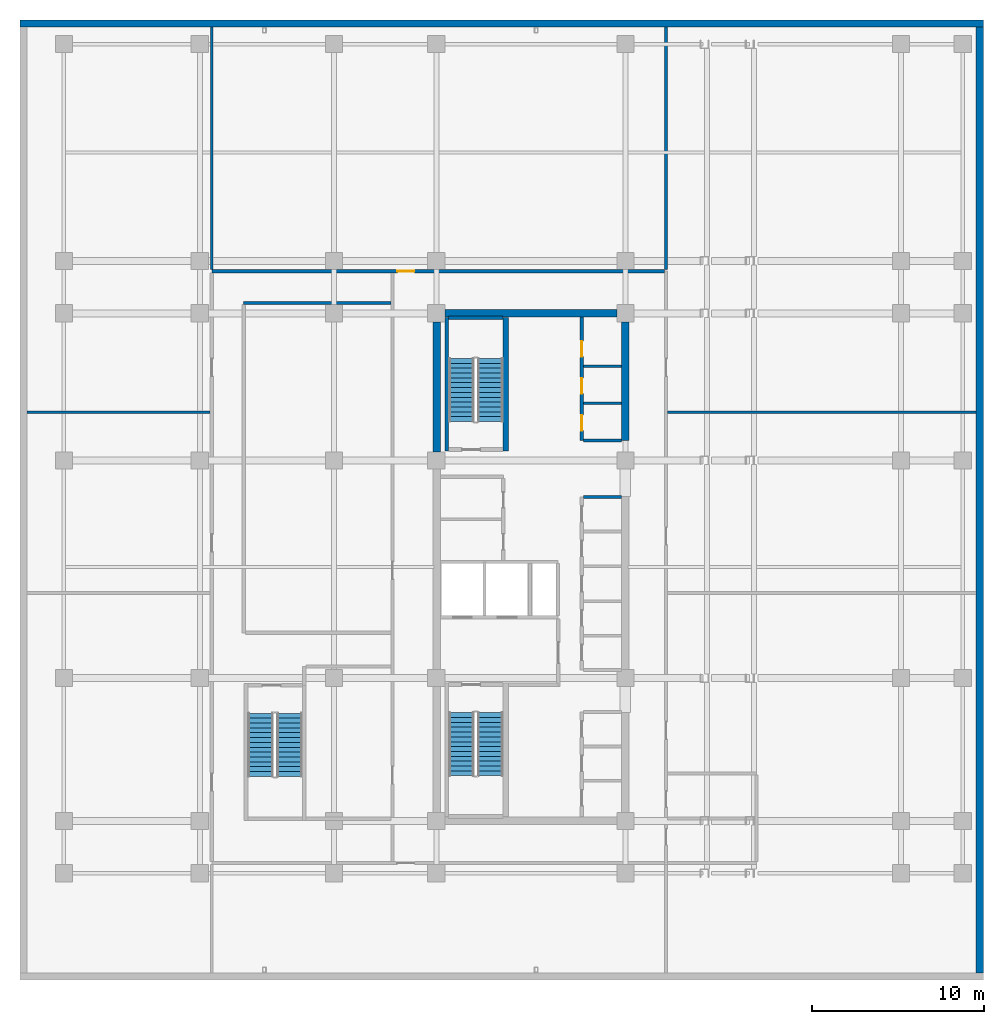
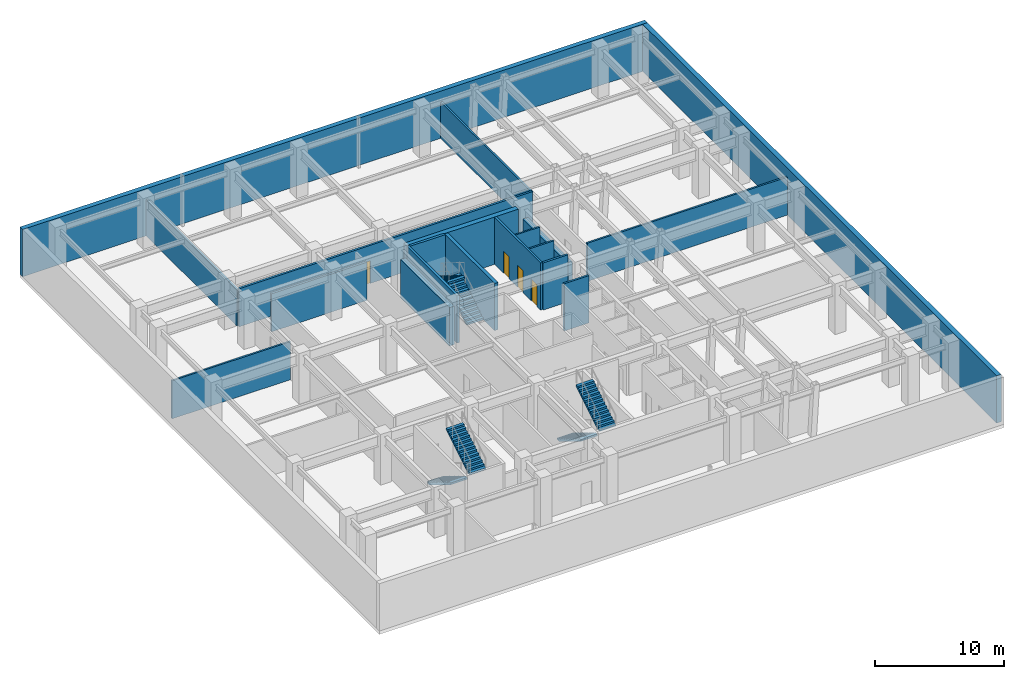
# One storey, part 8 of 9: 19 walls, 6 stair flights, 4 doors, 4 openings, 3 elements without a shape of their own.
"""IFC4 building model written with IfcOpenShell, lengths in metres."""

from ifc_helpers import new_model, si_unit, direction, frame, frame_2d, origin, place, context, subcontext, project, spatial, polyline, rectangle, outline, extrude, material, layer, layer_set, type_object, element, fill, aggregate, save


model = new_model("IFC4")

# Units and contexts
model_context = context("Model", 3, precision=1e-05, world=origin(), true_north=direction((0.0, 1.0)))
body_context = subcontext(model_context, "Body", "Model", "MODEL_VIEW")
ifc_project = project(units=[si_unit("LENGTHUNIT", "METRE"), si_unit("AREAUNIT", "SQUARE_METRE"), si_unit("VOLUMEUNIT", "CUBIC_METRE"), si_unit("PLANEANGLEUNIT", "RADIAN"), si_unit("MASSUNIT", "GRAM", prefix="KILO")], contexts=[model_context])

# Site, building, storey
site_placement = place(None, origin())
site = spatial("IfcSite", under=ifc_project, at=site_placement, CompositionType="ELEMENT")
building_placement = place(site_placement, origin())
building = spatial("IfcBuilding", under=site, at=building_placement, Name="Ochreholt Gables", CompositionType="ELEMENT")
storey_placement = place(building_placement, frame((0.0, 0.0, -4.800048828125)))
storey = spatial("IfcBuildingStorey", under=building, at=storey_placement, Name="B1", CompositionType="ELEMENT", Elevation=-4.800048828125)

# Walls
ifc_material_1 = material(Name="Concrete 50 MPa", Category="concrete")
ifc_layer_1 = layer(ifc_material_1, 0.419921875, Name="Concrete 50 MPa")
ifc_layer_set_1 = layer_set([ifc_layer_1], Name="Concrete 50 MPa")
wall_type_1 = type_object("IfcWallType", Name="WALL-BSM-420", PredefinedType="SHEAR", material=ifc_layer_set_1)
wall_1_placement = place(storey_placement, frame((0.0, 55.590087890625, 0.0), z_axis=(0.0, 0.0, 1.0), x_axis=(1.0, 0.0, 0.0)))
element("IfcWall", 1, at=wall_1_placement, inside=storey, type_object=wall_type_1, Name="B1 North Retaining Shear Wall", PredefinedType="SHEAR", context=body_context, shape_type="SweptSolid", body=[
    extrude(rectangle(XDim=56.0, YDim=0.419921875, at=frame_2d((28.0, 0.0))), origin(), (0.0, 0.0, 1.0), 4.47998046875),
])
wall_2_placement = place(storey_placement, frame((55.7900390625, 0.419921875, 0.0), z_axis=(0.0, 0.0, 1.0), x_axis=(0.0, 1.0, 0.0)))
element("IfcWall", 2, at=wall_2_placement, inside=storey, type_object=wall_type_1, Name="B1 East Retaining Shear Wall", PredefinedType="SHEAR", context=body_context, shape_type="SweptSolid", body=[
    extrude(rectangle(XDim=54.9599609375, YDim=0.419921875, at=frame_2d((27.47998046875, 0.0))), origin(), (0.0, 0.0, 1.0), 4.47998046875),
])
ifc_material_2 = material(Name="Concrete 60 MPa", Category="concrete")
ifc_layer_2 = layer(ifc_material_2, 0.449951171875, Name="Concrete 60 MPa")
ifc_layer_set_2 = layer_set([ifc_layer_2], Name="Concrete 60 MPa")
wall_type_2 = type_object("IfcWallType", Name="WALL-CSW-450", PredefinedType="SHEAR", material=ifc_layer_set_2)
wall_3_placement = place(storey_placement, frame((24.22509765625, 30.699951171875, 0.0), z_axis=(0.0, 0.0, 1.0), x_axis=(0.0, 1.0, 0.0)))
element("IfcWall", 3, at=wall_3_placement, inside=storey, type_object=wall_type_2, Name="B1 Core West Shear Wall WN", PredefinedType="SHEAR", context=body_context, shape_type="SweptSolid", body=[
    extrude(rectangle(XDim=7.550048828125, YDim=0.449951171875, at=frame_2d((3.77490234375, 0.0))), origin(), (0.0, 0.0, 1.0), 3.629150390625),
])
wall_4_placement = place(storey_placement, frame((35.175048828125, 31.35009765625, 0.0), z_axis=(0.0, 0.0, 1.0), x_axis=(0.0, 1.0, 0.0)))
element("IfcWall", 4, at=wall_4_placement, inside=storey, type_object=wall_type_2, Name="B1 Core North-East Shear Wall", PredefinedType="SHEAR", context=body_context, shape_type="SweptSolid", body=[
    extrude(rectangle(XDim=6.89990234375, YDim=0.449951171875, at=frame_2d((3.449951171875, 0.0))), origin(), (0.0, 0.0, 1.0), 3.629150390625),
])
wall_5_placement = place(storey_placement, frame((24.699951171875, 38.75, 0.0), z_axis=(0.0, 0.0, 1.0), x_axis=(1.0, 0.0, 0.0)))
element("IfcWall", 5, at=wall_5_placement, inside=storey, type_object=wall_type_2, Name="B1 Core North Shear Wall", PredefinedType="SHEAR", context=body_context, shape_type="SweptSolid", body=[
    extrude(rectangle(XDim=10.0, YDim=0.449951171875, at=frame_2d((5.0, 0.0))), origin(), (0.0, 0.0, 1.0), 4.47998046875),
])

# Wall, opening, door
ifc_material_3 = material(Name="Fire-Rated Gypsum Acoustic Partition", Category="gypsum")
ifc_layer_3 = layer(ifc_material_3, 0.18994140625, Name="Fire-Rated Gypsum Acoustic Partition")
ifc_layer_set_3 = layer_set([ifc_layer_3], Name="Fire-Rated Gypsum Acoustic Partition")
wall_type_3 = type_object("IfcWallType", Name="WALL-INT-CR190", PredefinedType="STANDARD", material=ifc_layer_set_3)
wall_6_placement = place(storey_placement, frame((11.14990234375, 41.199951171875, 0.0), z_axis=(0.0, 0.0, 1.0), x_axis=(1.0, 0.0, 0.0)))
wall_6 = element("IfcWall", 6, at=wall_6_placement, inside=storey, type_object=wall_type_3, Name="B1 Interior Wall WI-BCN-B1", PredefinedType="STANDARD", context=body_context, shape_type="SweptSolid", body=[
    extrude(rectangle(XDim=26.30517578125, YDim=0.18994140625, at=frame_2d((13.152587890625, 0.0))), origin(), (0.0, 0.0, 1.0), 3.611083984375),
])
opening_1_placement = place(wall_6_placement, frame((10.780029296875, 0.0, 0.0)))
opening_1 = element("IfcOpeningElement", 7, at=opening_1_placement, cuts=wall_6, Name="Opening D-SV3", PredefinedType="OPENING", context=body_context, shape_type="SweptSolid", body=[
    extrude(rectangle(XDim=1.0, YDim=2.14990234375, at=frame_2d((0.5, 1.074951171875))), frame((0.0, 0.10498046875, 0.0), z_axis=(0.0, -1.0, 0.0), x_axis=(1.0, 0.0, 0.0)), (0.0, 0.0, 1.0), 0.2099609375),
])
ifc_material_4 = material(Name="Hollow Metal Steel", Category="steel")
door_type_1 = type_object("IfcDoorType", Name="DR-INT-SRV1000", OperationType="NOTDEFINED", PredefinedType="DOOR", material=ifc_material_4)
door_1_placement = place(opening_1_placement, origin())
door_1 = element("IfcDoor", 8, at=door_1_placement, inside=storey, type_object=door_type_1, Name="B1 Door D-BM10-B1", OperationType="SINGLE_SWING_LEFT", OverallHeight=2.14990234375, OverallWidth=1.0, PredefinedType="DOOR", context=body_context, shape_type="SweptSolid", body=[
    extrude(rectangle(XDim=1.0, YDim=2.14990234375, at=frame_2d((0.5, 1.074951171875))), frame((0.0, 0.02490234375, 0.0), z_axis=(0.0, -1.0, 0.0), x_axis=(1.0, 0.0, 0.0)), (0.0, 0.0, 1.0), 0.050048828125),
])
fill(opening_1, door_1)

# Walls
wall_7_placement = place(storey_placement, frame((13.0, 39.35009765625, 0.0), z_axis=(0.0, 0.0, 1.0), x_axis=(1.0, 0.0, 0.0)))
element("IfcWall", 9, at=wall_7_placement, inside=storey, type_object=wall_type_3, Name="B1 Interior Wall WI-BCN2-B1", PredefinedType="STANDARD", context=body_context, shape_type="SweptSolid", body=[
    extrude(rectangle(XDim=8.554931640625, YDim=0.18994140625, at=frame_2d((4.27734375, 0.0))), origin(), (0.0, 0.0, 1.0), 3.611083984375),
])
ifc_material_5 = material(Name="Gypsum Acoustic Stud Partition", Category="gypsum")
ifc_layer_4 = layer(ifc_material_5, 0.159912109375, Name="Gypsum Acoustic Stud Partition")
ifc_layer_set_4 = layer_set([ifc_layer_4], Name="Gypsum Acoustic Stud Partition")
wall_type_4 = type_object("IfcWallType", Name="WALL-INT-PT160", PredefinedType="PARTITIONING", material=ifc_layer_set_4)
for number, where, z_axis, x_axis, name in (
    (10, (11.14990234375, 41.294921875, 0.0), (0.0, 0.0, 1.0), (0.0, 1.0, 0.0), "B1 Interior Wall WI-BCWWN-B1"),
    (11, (37.550048828125, 41.294921875, 0.0), (0.0, 0.0, 1.0), (0.0, 1.0, 0.0), "B1 Interior Wall WI-BCEN-B1"),
):
    element("IfcWall", number, at=place(storey_placement, frame(where, z_axis=z_axis, x_axis=x_axis)), inside=storey, type_object=wall_type_4, Name=name, PredefinedType="PARTITIONING", context=body_context, shape_type="SweptSolid", body=[
        extrude(rectangle(XDim=14.0849609375, YDim=0.159912109375, at=frame_2d((7.04248046875, 0.0))), origin(), (0.0, 0.0, 1.0), 3.462158203125),
    ])
wall_8_placement = place(storey_placement, frame((0.419921875, 33.0, 0.0), z_axis=(0.0, 0.0, 1.0), x_axis=(1.0, 0.0, 0.0)))
element("IfcWall", 12, at=wall_8_placement, inside=storey, type_object=wall_type_4, Name="B1 Interior Wall WI-BW2-B1", PredefinedType="PARTITIONING", context=body_context, shape_type="SweptSolid", body=[
    extrude(rectangle(XDim=10.635009765625, YDim=0.159912109375, at=frame_2d((5.3173828125, 0.0))), origin(), (0.0, 0.0, 1.0), 3.611083984375),
])
wall_9_placement = place(storey_placement, frame((37.64501953125, 33.0, 0.0), z_axis=(0.0, 0.0, 1.0), x_axis=(1.0, 0.0, 0.0)))
element("IfcWall", 13, at=wall_9_placement, inside=storey, type_object=wall_type_4, Name="B1 Interior Wall WI-BE2-B1", PredefinedType="PARTITIONING", context=body_context, shape_type="SweptSolid", body=[
    extrude(rectangle(XDim=17.93505859375, YDim=0.159912109375, at=frame_2d((8.967529296875, 0.0))), origin(), (0.0, 0.0, 1.0), 3.611083984375),
])
ifc_material_6 = material(Name="Gypsum Shaftliner and Steel Stud", Category="steel")
ifc_layer_5 = layer(ifc_material_6, 0.14990234375, Name="Gypsum Shaftliner and Steel Stud")
ifc_layer_set_5 = layer_set([ifc_layer_5], Name="Gypsum Shaftliner and Steel Stud")
wall_type_5 = type_object("IfcWallType", Name="WALL-INT-SH150", PredefinedType="STANDARD", material=ifc_layer_set_5)
for number, where, z_axis, x_axis, name in (
    (14, (32.739990234375, 33.52001953125, 0.0), (0.0, 0.0, 1.0), (1.0, 0.0, 0.0), "B1 Interior Wall WI-LFM-D1-B1"),
    (15, (32.739990234375, 35.669921875, 0.0), (0.0, 0.0, 1.0), (1.0, 0.0, 0.0), "B1 Interior Wall WI-LFM-D2-B1"),
):
    element("IfcWall", number, at=place(storey_placement, frame(where, z_axis=z_axis, x_axis=x_axis)), inside=storey, type_object=wall_type_5, Name=name, PredefinedType="STANDARD", context=body_context, shape_type="SweptSolid", body=[
        extrude(rectangle(XDim=2.2099609375, YDim=0.14990234375, at=frame_2d((1.10498046875, 0.0))), origin(), (0.0, 0.0, 1.0), 4.47998046875),
    ])
ifc_layer_6 = layer(ifc_material_6, 0.179931640625, Name="Gypsum Shaftliner and Steel Stud")
ifc_layer_set_6 = layer_set([ifc_layer_6], Name="Gypsum Shaftliner and Steel Stud")
wall_type_6 = type_object("IfcWallType", Name="WALL-INT-SH180", PredefinedType="STANDARD", material=ifc_layer_set_6)
wall_10_placement = place(storey_placement, frame((32.739990234375, 28.080078125, 0.0), z_axis=(0.0, 0.0, 1.0), x_axis=(1.0, 0.0, 0.0)))
element("IfcWall", 16, at=wall_10_placement, inside=storey, type_object=wall_type_6, Name="B1 Interior Wall WI-LFHE-N-B1", PredefinedType="STANDARD", context=body_context, shape_type="SweptSolid", body=[
    extrude(rectangle(XDim=2.2099609375, YDim=0.179931640625, at=frame_2d((1.10498046875, 0.0))), origin(), (0.0, 0.0, 1.0), 4.47998046875),
])

# Wall, openings, doors
wall_11_placement = place(storey_placement, frame((32.64990234375, 31.35009765625, 0.0), z_axis=(0.0, 0.0, 1.0), x_axis=(0.0, 1.0, 0.0)))
wall_11 = element("IfcWall", 17, at=wall_11_placement, inside=storey, type_object=wall_type_6, Name="B1 Interior Wall WI-LFM-FR-B1", PredefinedType="STANDARD", context=body_context, shape_type="SweptSolid", body=[
    extrude(rectangle(XDim=7.1748046875, YDim=0.179931640625, at=frame_2d((3.58740234375, 0.0))), origin(), (0.0, 0.0, 1.0), 4.47998046875),
])
opening_2_placement = place(wall_11_placement, frame((0.580078125, 0.0, 0.0)))
opening_2 = element("IfcOpeningElement", 18, at=opening_2_placement, cuts=wall_11, Name="Opening D-SV1", PredefinedType="OPENING", context=body_context, shape_type="SweptSolid", body=[
    extrude(rectangle(XDim=0.89990234375, YDim=2.10009765625, at=frame_2d((0.449951171875, 1.050048828125))), frame((0.0, 0.099853515625, 0.0), z_axis=(0.0, -1.0, 0.0), x_axis=(1.0, 0.0, 0.0)), (0.0, 0.0, 1.0), 0.199951171875),
])
opening_3_placement = place(wall_11_placement, frame((2.72998046875, 0.0, 0.0)))
opening_3 = element("IfcOpeningElement", 19, at=opening_3_placement, cuts=wall_11, Name="Opening D-SV1", PredefinedType="OPENING", context=body_context, shape_type="SweptSolid", body=[
    extrude(rectangle(XDim=0.89990234375, YDim=2.10009765625, at=frame_2d((0.449951171875, 1.050048828125))), frame((0.0, 0.099853515625, 0.0), z_axis=(0.0, -1.0, 0.0), x_axis=(1.0, 0.0, 0.0)), (0.0, 0.0, 1.0), 0.199951171875),
])
opening_4_placement = place(wall_11_placement, frame((4.8798828125, 0.0, 0.0)))
opening_4 = element("IfcOpeningElement", 20, at=opening_4_placement, cuts=wall_11, Name="Opening D-SV1", PredefinedType="OPENING", context=body_context, shape_type="SweptSolid", body=[
    extrude(rectangle(XDim=0.89990234375, YDim=2.10009765625, at=frame_2d((0.449951171875, 1.050048828125))), frame((0.0, 0.099853515625, 0.0), z_axis=(0.0, -1.0, 0.0), x_axis=(1.0, 0.0, 0.0)), (0.0, 0.0, 1.0), 0.199951171875),
])
door_type_2 = type_object("IfcDoorType", Name="DR-INT-SRV900", OperationType="NOTDEFINED", PredefinedType="DOOR", material=ifc_material_4)
door_2_placement = place(opening_2_placement, origin())
door_2 = element("IfcDoor", 21, at=door_2_placement, inside=storey, type_object=door_type_2, Name="B1 Door D-MCST1-B1", OperationType="SINGLE_SWING_LEFT", OverallHeight=2.10009765625, OverallWidth=0.89990234375, PredefinedType="DOOR", context=body_context, shape_type="SweptSolid", body=[
    extrude(rectangle(XDim=0.89990234375, YDim=2.10009765625, at=frame_2d((0.449951171875, 1.050048828125))), frame((0.0, 0.02490234375, 0.0), z_axis=(0.0, -1.0, 0.0), x_axis=(1.0, 0.0, 0.0)), (0.0, 0.0, 1.0), 0.050048828125),
])
fill(opening_2, door_2)
door_3_placement = place(opening_3_placement, origin())
door_3 = element("IfcDoor", 22, at=door_3_placement, inside=storey, type_object=door_type_2, Name="B1 Door D-MCST2-B1", OperationType="SINGLE_SWING_LEFT", OverallHeight=2.10009765625, OverallWidth=0.89990234375, PredefinedType="DOOR", context=body_context, shape_type="SweptSolid", body=[
    extrude(rectangle(XDim=0.89990234375, YDim=2.10009765625, at=frame_2d((0.449951171875, 1.050048828125))), frame((0.0, 0.02490234375, 0.0), z_axis=(0.0, -1.0, 0.0), x_axis=(1.0, 0.0, 0.0)), (0.0, 0.0, 1.0), 0.050048828125),
])
fill(opening_3, door_3)
door_4_placement = place(opening_4_placement, origin())
door_4 = element("IfcDoor", 23, at=door_4_placement, inside=storey, type_object=door_type_2, Name="B1 Door D-MCST3-B1", OperationType="SINGLE_SWING_LEFT", OverallHeight=2.10009765625, OverallWidth=0.89990234375, PredefinedType="DOOR", context=body_context, shape_type="SweptSolid", body=[
    extrude(rectangle(XDim=0.89990234375, YDim=2.10009765625, at=frame_2d((0.449951171875, 1.050048828125))), frame((0.0, 0.02490234375, 0.0), z_axis=(0.0, -1.0, 0.0), x_axis=(1.0, 0.0, 0.0)), (0.0, 0.0, 1.0), 0.050048828125),
])
fill(opening_4, door_4)

# Walls
wall_12_placement = place(storey_placement, frame((32.739990234375, 31.35009765625, 0.0), z_axis=(0.0, 0.0, 1.0), x_axis=(1.0, 0.0, 0.0)))
element("IfcWall", 24, at=wall_12_placement, inside=storey, type_object=wall_type_6, Name="B1 Interior Wall WI-LFM-S-B1", PredefinedType="STANDARD", context=body_context, shape_type="SweptSolid", body=[
    extrude(rectangle(XDim=2.2099609375, YDim=0.179931640625, at=frame_2d((1.10498046875, 0.0))), origin(), (0.0, 0.0, 1.0), 4.47998046875),
])
ifc_layer_7 = layer(ifc_material_2, 0.300048828125, Name="Concrete 60 MPa")
ifc_layer_set_7 = layer_set([ifc_layer_7], Name="Concrete 60 MPa")
wall_type_7 = type_object("IfcWallType", Name="WALL-SPN-300", PredefinedType="SHEAR", material=ifc_layer_set_7)
wall_13_placement = place(storey_placement, frame((28.22998046875, 30.739990234375, 0.0), z_axis=(0.0, 0.0, 1.0), x_axis=(0.0, 1.0, 0.0)))
element("IfcWall", 25, at=wall_13_placement, inside=storey, type_object=wall_type_7, Name="B1 Core North Spine Shear Wall", PredefinedType="SHEAR", context=body_context, shape_type="SweptSolid", body=[
    extrude(rectangle(XDim=7.760009765625, YDim=0.300048828125, at=frame_2d((3.8798828125, 0.0))), origin(), (0.0, 0.0, 1.0), 4.47998046875),
])
ifc_layer_8 = layer(ifc_material_1, 0.219970703125, Name="Concrete 50 MPa")
ifc_layer_set_8 = layer_set([ifc_layer_8], Name="Concrete 50 MPa")
wall_type_8 = type_object("IfcWallType", Name="WALL-STW-220", PredefinedType="SHEAR", material=ifc_layer_set_8)
wall_14_placement = place(storey_placement, frame((24.81005859375, 30.739990234375, 0.0), z_axis=(0.0, 0.0, 1.0), x_axis=(0.0, 1.0, 0.0)))
element("IfcWall", 26, at=wall_14_placement, inside=storey, type_object=wall_type_8, Name="B1 Exit Stair 2 West Wall", PredefinedType="SHEAR", context=body_context, shape_type="SweptSolid", body=[
    extrude(rectangle(XDim=7.760009765625, YDim=0.219970703125, at=frame_2d((3.8798828125, 0.0))), origin(), (0.0, 0.0, 1.0), 4.47998046875),
])
wall_15_placement = place(storey_placement, frame((24.919921875, 38.489990234375, 0.0), z_axis=(0.0, 0.0, 1.0), x_axis=(1.0, 0.0, 0.0)))
element("IfcWall", 27, at=wall_15_placement, inside=storey, type_object=wall_type_8, Name="B1 Exit Stair 2 North Wall", PredefinedType="SHEAR", context=body_context, shape_type="SweptSolid", body=[
    extrude(rectangle(XDim=3.16015625, YDim=0.219970703125, at=frame_2d((1.580078125, 0.0))), origin(), (0.0, 0.0, 1.0), 4.47998046875),
])

# Stair, stair flights
ifc_material_7 = material(Name="Concrete 40 MPa", Category="concrete")
stair_type_1 = type_object("IfcStairType", Name="STAIR-CORE-ST-1", PredefinedType="HALF_TURN_STAIR", material=ifc_material_7)
stair_1_placement = place(storey_placement, origin())
stair_1 = element("IfcStair", 28, at=stair_1_placement, inside=storey, type_object=stair_type_1, Name="B1 Core Exit Stair 1", PredefinedType="HALF_TURN_STAIR")
stair_flight_type = type_object("IfcStairFlightType", Name="FLIGHT-ST-1480-1714", PredefinedType="STRAIGHT", material=ifc_material_7)
stair_flight_1_placement = place(storey_placement, frame((25.659912109375, 15.5400390625, 0.0), z_axis=(0.0, 0.0, 1.0), x_axis=(0.0, -1.0, 0.0)))
stair_flight_1 = element("IfcStairFlight", 29, at=stair_flight_1_placement, type_object=stair_flight_type, Name="ST-1 flight 1", NumberOfRisers=14, NumberOfTreads=13, PredefinedType="STRAIGHT", RiserHeight=0.171428571, TreadLength=0.282, context=body_context, shape_type="SweptSolid", body=[
    extrude(outline(polyline([(0.0, 0.0), (0.0, 0.17138671875), (0.281982421875, 0.17138671875), (0.281982421875, 0.3427734375), (0.56396484375, 0.3427734375), (0.56396484375, 0.514404296875), (0.845947265625, 0.514404296875), (0.845947265625, 0.685791015625), (1.1279296875, 0.685791015625), (1.1279296875, 0.857177734375), (1.409912109375, 0.857177734375), (1.409912109375, 1.028564453125), (1.69189453125, 1.028564453125), (1.69189453125, 1.199951171875), (1.97412109375, 1.199951171875), (1.97412109375, 1.371337890625), (2.256103515625, 1.371337890625), (2.256103515625, 1.54296875), (2.5380859375, 1.54296875), (2.5380859375, 1.71435546875), (2.820068359375, 1.71435546875), (2.820068359375, 1.8857421875), (3.10205078125, 1.8857421875), (3.10205078125, 2.05712890625), (3.384033203125, 2.05712890625), (3.384033203125, 2.228515625), (3.666015625, 2.228515625), (3.666015625, 2.39990234375), (3.666015625, 2.05322265625), (0.28857421875, 0.0), (0.0, 0.0)])), frame((0.0, 0.739990234375, 0.0), z_axis=(0.0, -1.0, 0.0), x_axis=(1.0, 0.0, 0.0)), (0.0, 0.0, 1.0), 1.47998046875),
])
stair_flight_2_placement = place(storey_placement, frame((27.340087890625, 11.8740234375, 2.400146484375), z_axis=(0.0, 0.0, 1.0), x_axis=(0.0, 1.0, 0.0)))
stair_flight_2 = element("IfcStairFlight", 30, at=stair_flight_2_placement, type_object=stair_flight_type, Name="ST-1 flight 2", NumberOfRisers=14, NumberOfTreads=13, PredefinedType="STRAIGHT", RiserHeight=0.171428571, TreadLength=0.282, context=body_context, shape_type="SweptSolid", body=[
    extrude(outline(polyline([(0.0, 0.0), (0.0, 0.17138671875), (0.281982421875, 0.17138671875), (0.281982421875, 0.3427734375), (0.56396484375, 0.3427734375), (0.56396484375, 0.514404296875), (0.845947265625, 0.514404296875), (0.845947265625, 0.685791015625), (1.1279296875, 0.685791015625), (1.1279296875, 0.857177734375), (1.409912109375, 0.857177734375), (1.409912109375, 1.028564453125), (1.69189453125, 1.028564453125), (1.69189453125, 1.199951171875), (1.97412109375, 1.199951171875), (1.97412109375, 1.371337890625), (2.256103515625, 1.371337890625), (2.256103515625, 1.54296875), (2.5380859375, 1.54296875), (2.5380859375, 1.71435546875), (2.820068359375, 1.71435546875), (2.820068359375, 1.8857421875), (3.10205078125, 1.8857421875), (3.10205078125, 2.05712890625), (3.384033203125, 2.05712890625), (3.384033203125, 2.228515625), (3.666015625, 2.228515625), (3.666015625, 2.39990234375), (3.666015625, 2.05322265625), (0.28857421875, 0.0), (0.0, 0.0)])), frame((0.0, 0.739990234375, 0.0), z_axis=(0.0, -1.0, 0.0), x_axis=(1.0, 0.0, 0.0)), (0.0, 0.0, 1.0), 1.47998046875),
])
aggregate(stair_1, [stair_flight_1, stair_flight_2])

stair_type_2 = type_object("IfcStairType", Name="STAIR-CORE-ST-2", PredefinedType="HALF_TURN_STAIR", material=ifc_material_7)
stair_2_placement = place(storey_placement, origin())
stair_2 = element("IfcStair", 31, at=stair_2_placement, inside=storey, type_object=stair_type_2, Name="B1 Core Exit Stair 2", PredefinedType="HALF_TURN_STAIR")
stair_flight_3_placement = place(storey_placement, frame((27.340087890625, 32.4599609375, 0.0), z_axis=(0.0, 0.0, 1.0), x_axis=(0.0, 1.0, 0.0)))
stair_flight_3 = element("IfcStairFlight", 32, at=stair_flight_3_placement, type_object=stair_flight_type, Name="ST-2 flight 1", NumberOfRisers=14, NumberOfTreads=13, PredefinedType="STRAIGHT", RiserHeight=0.171428571, TreadLength=0.282, context=body_context, shape_type="SweptSolid", body=[
    extrude(outline(polyline([(0.0, 0.0), (0.0, 0.17138671875), (0.281982421875, 0.17138671875), (0.281982421875, 0.3427734375), (0.56396484375, 0.3427734375), (0.56396484375, 0.514404296875), (0.845947265625, 0.514404296875), (0.845947265625, 0.685791015625), (1.1279296875, 0.685791015625), (1.1279296875, 0.857177734375), (1.409912109375, 0.857177734375), (1.409912109375, 1.028564453125), (1.69189453125, 1.028564453125), (1.69189453125, 1.199951171875), (1.97412109375, 1.199951171875), (1.97412109375, 1.371337890625), (2.256103515625, 1.371337890625), (2.256103515625, 1.54296875), (2.5380859375, 1.54296875), (2.5380859375, 1.71435546875), (2.820068359375, 1.71435546875), (2.820068359375, 1.8857421875), (3.10205078125, 1.8857421875), (3.10205078125, 2.05712890625), (3.384033203125, 2.05712890625), (3.384033203125, 2.228515625), (3.666015625, 2.228515625), (3.666015625, 2.39990234375), (3.666015625, 2.05322265625), (0.28857421875, 0.0), (0.0, 0.0)])), frame((0.0, 0.739990234375, 0.0), z_axis=(0.0, -1.0, 0.0), x_axis=(1.0, 0.0, 0.0)), (0.0, 0.0, 1.0), 1.47998046875),
])
stair_flight_4_placement = place(storey_placement, frame((25.659912109375, 36.1259765625, 2.400146484375), z_axis=(0.0, 0.0, 1.0), x_axis=(0.0, -1.0, 0.0)))
stair_flight_4 = element("IfcStairFlight", 33, at=stair_flight_4_placement, type_object=stair_flight_type, Name="ST-2 flight 2", NumberOfRisers=14, NumberOfTreads=13, PredefinedType="STRAIGHT", RiserHeight=0.171428571, TreadLength=0.282, context=body_context, shape_type="SweptSolid", body=[
    extrude(outline(polyline([(0.0, 0.0), (0.0, 0.17138671875), (0.281982421875, 0.17138671875), (0.281982421875, 0.3427734375), (0.56396484375, 0.3427734375), (0.56396484375, 0.514404296875), (0.845947265625, 0.514404296875), (0.845947265625, 0.685791015625), (1.1279296875, 0.685791015625), (1.1279296875, 0.857177734375), (1.409912109375, 0.857177734375), (1.409912109375, 1.028564453125), (1.69189453125, 1.028564453125), (1.69189453125, 1.199951171875), (1.97412109375, 1.199951171875), (1.97412109375, 1.371337890625), (2.256103515625, 1.371337890625), (2.256103515625, 1.54296875), (2.5380859375, 1.54296875), (2.5380859375, 1.71435546875), (2.820068359375, 1.71435546875), (2.820068359375, 1.8857421875), (3.10205078125, 1.8857421875), (3.10205078125, 2.05712890625), (3.384033203125, 2.05712890625), (3.384033203125, 2.228515625), (3.666015625, 2.228515625), (3.666015625, 2.39990234375), (3.666015625, 2.05322265625), (0.28857421875, 0.0), (0.0, 0.0)])), frame((0.0, 0.739990234375, 0.0), z_axis=(0.0, -1.0, 0.0), x_axis=(1.0, 0.0, 0.0)), (0.0, 0.0, 1.0), 1.47998046875),
])
aggregate(stair_2, [stair_flight_3, stair_flight_4])

stair_type_3 = type_object("IfcStairType", Name="STAIR-CORE-ST-P1", PredefinedType="HALF_TURN_STAIR", material=ifc_material_7)
stair_3_placement = place(storey_placement, origin())
stair_3 = element("IfcStair", 34, at=stair_3_placement, inside=storey, type_object=stair_type_3, Name="B1 Podium Exit Stair 3", PredefinedType="HALF_TURN_STAIR")
stair_flight_5_placement = place(storey_placement, frame((13.989990234375, 15.5, 0.0), z_axis=(0.0, 0.0, 1.0), x_axis=(0.0, -1.0, 0.0)))
stair_flight_5 = element("IfcStairFlight", 35, at=stair_flight_5_placement, type_object=stair_flight_type, Name="ST-P1 flight 1", NumberOfRisers=14, NumberOfTreads=13, PredefinedType="STRAIGHT", RiserHeight=0.171428571, TreadLength=0.282, context=body_context, shape_type="SweptSolid", body=[
    extrude(outline(polyline([(0.0, 0.0), (0.0, 0.17138671875), (0.281982421875, 0.17138671875), (0.281982421875, 0.3427734375), (0.56396484375, 0.3427734375), (0.56396484375, 0.514404296875), (0.845947265625, 0.514404296875), (0.845947265625, 0.685791015625), (1.1279296875, 0.685791015625), (1.1279296875, 0.857177734375), (1.409912109375, 0.857177734375), (1.409912109375, 1.028564453125), (1.69189453125, 1.028564453125), (1.69189453125, 1.199951171875), (1.97412109375, 1.199951171875), (1.97412109375, 1.371337890625), (2.256103515625, 1.371337890625), (2.256103515625, 1.54296875), (2.5380859375, 1.54296875), (2.5380859375, 1.71435546875), (2.820068359375, 1.71435546875), (2.820068359375, 1.8857421875), (3.10205078125, 1.8857421875), (3.10205078125, 2.05712890625), (3.384033203125, 2.05712890625), (3.384033203125, 2.228515625), (3.666015625, 2.228515625), (3.666015625, 2.39990234375), (3.666015625, 2.05322265625), (0.28857421875, 0.0), (0.0, 0.0)])), frame((0.0, 0.739990234375, 0.0), z_axis=(0.0, -1.0, 0.0), x_axis=(1.0, 0.0, 0.0)), (0.0, 0.0, 1.0), 1.47998046875),
])
stair_flight_6_placement = place(storey_placement, frame((15.669921875, 11.833984375, 2.400146484375), z_axis=(0.0, 0.0, 1.0), x_axis=(0.0, 1.0, 0.0)))
stair_flight_6 = element("IfcStairFlight", 36, at=stair_flight_6_placement, type_object=stair_flight_type, Name="ST-P1 flight 2", NumberOfRisers=14, NumberOfTreads=13, PredefinedType="STRAIGHT", RiserHeight=0.171428571, TreadLength=0.282, context=body_context, shape_type="SweptSolid", body=[
    extrude(outline(polyline([(0.0, 0.0), (0.0, 0.17138671875), (0.281982421875, 0.17138671875), (0.281982421875, 0.3427734375), (0.56396484375, 0.3427734375), (0.56396484375, 0.514404296875), (0.845947265625, 0.514404296875), (0.845947265625, 0.685791015625), (1.1279296875, 0.685791015625), (1.1279296875, 0.857177734375), (1.409912109375, 0.857177734375), (1.409912109375, 1.028564453125), (1.69189453125, 1.028564453125), (1.69189453125, 1.199951171875), (1.97412109375, 1.199951171875), (1.97412109375, 1.371337890625), (2.256103515625, 1.371337890625), (2.256103515625, 1.54296875), (2.5380859375, 1.54296875), (2.5380859375, 1.71435546875), (2.820068359375, 1.71435546875), (2.820068359375, 1.8857421875), (3.10205078125, 1.8857421875), (3.10205078125, 2.05712890625), (3.384033203125, 2.05712890625), (3.384033203125, 2.228515625), (3.666015625, 2.228515625), (3.666015625, 2.39990234375), (3.666015625, 2.05322265625), (0.28857421875, 0.0), (0.0, 0.0)])), frame((0.0, 0.739990234375, 0.0), z_axis=(0.0, -1.0, 0.0), x_axis=(1.0, 0.0, 0.0)), (0.0, 0.0, 1.0), 1.47998046875),
])
aggregate(stair_3, [stair_flight_5, stair_flight_6])

save(model, "model.ifc")
